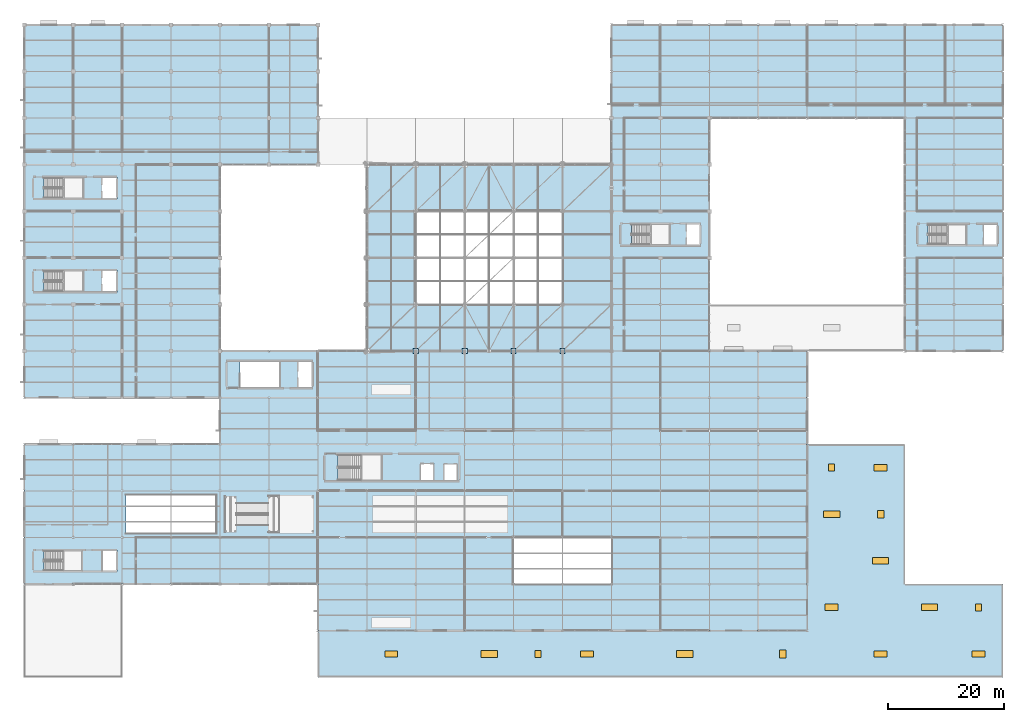
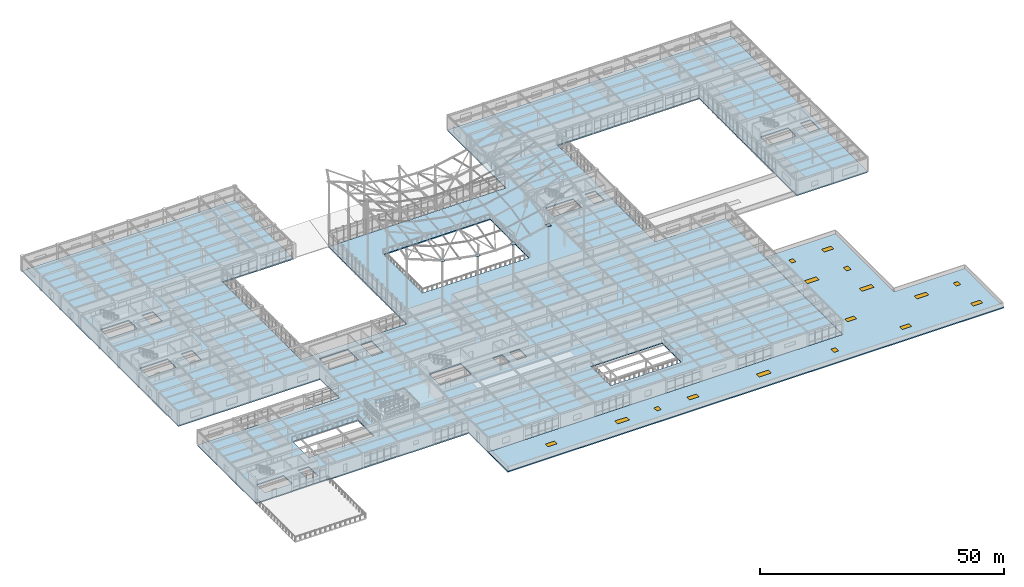
# One storey, part 59 of 138: 11 windows, 5 doors, 4 plates, 2 slabs, 16 openings.
"""IFC4 building model written with IfcOpenShell, lengths in metres."""

from ifc_helpers import new_model, si_unit, direction, frame, origin, origin_2d, place, context, subcontext, project, spatial, polyline, rectangle, outline, extrude, material, layer, layer_set, type_object, element, fill, save


model = new_model("IFC4")

# Units and contexts
model_context = context("Model", 3, precision=1e-05, world=origin(), true_north=direction((0.0, 1.0)))
body_context = subcontext(model_context, "Body", "Model", "MODEL_VIEW")
ifc_project = project(units=[si_unit("LENGTHUNIT", "METRE"), si_unit("AREAUNIT", "SQUARE_METRE"), si_unit("VOLUMEUNIT", "CUBIC_METRE"), si_unit("PLANEANGLEUNIT", "RADIAN"), si_unit("MASSUNIT", "GRAM", prefix="KILO")], contexts=[model_context])

# Site, building, storey
site_placement = place(None, origin())
site = spatial("IfcSite", under=ifc_project, at=site_placement, CompositionType="ELEMENT")
building_placement = place(site_placement, origin())
building = spatial("IfcBuilding", under=site, at=building_placement, Name="Kranzveld Transit Interchange", CompositionType="ELEMENT")
storey_placement = place(building_placement, frame((0.0, 0.0, 5.43994140625)))
storey = spatial("IfcBuildingStorey", under=building, at=storey_placement, Name="L01", CompositionType="ELEMENT", Elevation=5.43994140625)

# Slab, openings, doors, windows
ifc_material_1 = material(Name="Concrete C35/45", Category="concrete")
ifc_layer_1 = layer(ifc_material_1, 0.2900390625)
ifc_layer_set_1 = layer_set([ifc_layer_1], Name="Concrete C35/45")
slab_type_1 = type_object("IfcSlabType", Name="Colonnade Roof Slab 290 C35/45", PredefinedType="ROOF", material=ifc_layer_set_1)
slab_1_placement = place(storey_placement, frame((0.0, 0.0, -0.2900390625)))
slab_1 = element("IfcSlab", 1, at=slab_1_placement, inside=storey, type_object=slab_type_1, Name="L01 Flat Roof Slab 2", PredefinedType="ROOF", context=body_context, shape_type="SweptSolid", body=[
    extrude(outline(polyline([(151.199951171875, 40.0), (151.199951171875, 16.0), (168.0, 16.0), (168.0, 0.0), (151.199951171875, 0.0), (50.39990234375, 0.0), (50.39990234375, 8.0), (134.39990234375, 8.0), (134.39990234375, 40.0), (151.199951171875, 40.0)]), holes=[polyline([(61.89990234375, 3.449951171875), (64.10009765625, 3.449951171875), (64.10009765625, 4.550048828125), (61.89990234375, 4.550048828125), (61.89990234375, 3.449951171875)]), polyline([(78.39990234375, 3.425048828125), (81.199951171875, 3.425048828125), (81.199951171875, 4.574951171875), (78.39990234375, 4.574951171875), (78.39990234375, 3.425048828125)]), polyline([(87.699951171875, 3.39990234375), (88.699951171875, 3.39990234375), (88.699951171875, 4.60009765625), (87.699951171875, 4.60009765625), (87.699951171875, 3.39990234375)]), polyline([(95.5, 3.449951171875), (97.699951171875, 3.449951171875), (97.699951171875, 4.550048828125), (95.5, 4.550048828125), (95.5, 3.449951171875)]), polyline([(112.0, 3.425048828125), (114.800048828125, 3.425048828125), (114.800048828125, 4.574951171875), (112.0, 4.574951171875), (112.0, 3.425048828125)]), polyline([(129.64990234375, 3.35009765625), (130.75, 3.35009765625), (130.75, 4.64990234375), (129.64990234375, 4.64990234375), (129.64990234375, 3.35009765625)]), polyline([(137.5, 11.449951171875), (139.699951171875, 11.449951171875), (139.699951171875, 12.550048828125), (137.5, 12.550048828125), (137.5, 11.449951171875)]), polyline([(137.199951171875, 27.425048828125), (140.0, 27.425048828125), (140.0, 28.574951171875), (137.199951171875, 28.574951171875), (137.199951171875, 27.425048828125)]), polyline([(138.10009765625, 35.39990234375), (139.10009765625, 35.39990234375), (139.10009765625, 36.60009765625), (138.10009765625, 36.60009765625), (138.10009765625, 35.39990234375)]), polyline([(145.89990234375, 3.449951171875), (148.10009765625, 3.449951171875), (148.10009765625, 4.550048828125), (145.89990234375, 4.550048828125), (145.89990234375, 3.449951171875)]), polyline([(145.60009765625, 19.425048828125), (148.39990234375, 19.425048828125), (148.39990234375, 20.574951171875), (145.60009765625, 20.574951171875), (145.60009765625, 19.425048828125)]), polyline([(146.449951171875, 27.35009765625), (147.550048828125, 27.35009765625), (147.550048828125, 28.64990234375), (146.449951171875, 28.64990234375), (146.449951171875, 27.35009765625)]), polyline([(145.89990234375, 35.449951171875), (148.10009765625, 35.449951171875), (148.10009765625, 36.550048828125), (145.89990234375, 36.550048828125), (145.89990234375, 35.449951171875)]), polyline([(154.0, 11.425048828125), (156.800048828125, 11.425048828125), (156.800048828125, 12.574951171875), (154.0, 12.574951171875), (154.0, 11.425048828125)]), polyline([(162.699951171875, 3.449951171875), (164.89990234375, 3.449951171875), (164.89990234375, 4.550048828125), (162.699951171875, 4.550048828125), (162.699951171875, 3.449951171875)]), polyline([(163.300048828125, 11.39990234375), (164.300048828125, 11.39990234375), (164.300048828125, 12.60009765625), (163.300048828125, 12.60009765625), (163.300048828125, 11.39990234375)])]), origin(), (0.0, 0.0, 1.0), 0.2900390625),
])
opening_1_placement = place(slab_1_placement, frame((88.199951171875, 4.0, 0.0)))
opening_1 = element("IfcOpeningElement", 2, at=opening_1_placement, cuts=slab_1, Name="Opening RH-01", PredefinedType="OPENING", context=body_context, shape_type="SweptSolid", body=[
    extrude(rectangle(XDim=1.0, YDim=1.199951171875, at=origin_2d()), frame((0.0, 0.0, -0.010009765625)), (0.0, 0.0, 1.0), 0.31005859375),
])
opening_2_placement = place(slab_1_placement, frame((130.199951171875, 4.0, 0.0)))
opening_2 = element("IfcOpeningElement", 3, at=opening_2_placement, cuts=slab_1, Name="Opening RH-02", PredefinedType="OPENING", context=body_context, shape_type="SweptSolid", body=[
    extrude(rectangle(XDim=1.10009765625, YDim=1.300048828125, at=origin_2d()), frame((0.0, 0.0, -0.010009765625)), (0.0, 0.0, 1.0), 0.31005859375),
])
opening_3_placement = place(slab_1_placement, frame((138.60009765625, 36.0, 0.0)))
opening_3 = element("IfcOpeningElement", 4, at=opening_3_placement, cuts=slab_1, Name="Opening RH-03", PredefinedType="OPENING", context=body_context, shape_type="SweptSolid", body=[
    extrude(rectangle(XDim=1.0, YDim=1.199951171875, at=origin_2d()), frame((0.0, 0.0, -0.010009765625)), (0.0, 0.0, 1.0), 0.31005859375),
])
opening_4_placement = place(slab_1_placement, frame((147.0, 28.0, 0.0)))
opening_4 = element("IfcOpeningElement", 5, at=opening_4_placement, cuts=slab_1, Name="Opening RH-04", PredefinedType="OPENING", context=body_context, shape_type="SweptSolid", body=[
    extrude(rectangle(XDim=1.10009765625, YDim=1.300048828125, at=origin_2d()), frame((0.0, 0.0, -0.010009765625)), (0.0, 0.0, 1.0), 0.31005859375),
])
opening_5_placement = place(slab_1_placement, frame((163.800048828125, 12.0, 0.0)))
opening_5 = element("IfcOpeningElement", 6, at=opening_5_placement, cuts=slab_1, Name="Opening RH-05", PredefinedType="OPENING", context=body_context, shape_type="SweptSolid", body=[
    extrude(rectangle(XDim=1.0, YDim=1.199951171875, at=origin_2d()), frame((0.0, 0.0, -0.010009765625)), (0.0, 0.0, 1.0), 0.31005859375),
])
opening_6_placement = place(slab_1_placement, frame((63.0, 4.0, 0.0)))
opening_6 = element("IfcOpeningElement", 7, at=opening_6_placement, cuts=slab_1, Name="Opening SK-01", PredefinedType="OPENING", context=body_context, shape_type="SweptSolid", body=[
    extrude(rectangle(XDim=2.199951171875, YDim=1.10009765625, at=origin_2d()), frame((0.0, 0.0, -0.010009765625)), (0.0, 0.0, 1.0), 0.31005859375),
])
opening_7_placement = place(slab_1_placement, frame((79.800048828125, 4.0, 0.0)))
opening_7 = element("IfcOpeningElement", 8, at=opening_7_placement, cuts=slab_1, Name="Opening SK-02", PredefinedType="OPENING", context=body_context, shape_type="SweptSolid", body=[
    extrude(rectangle(XDim=2.800048828125, YDim=1.14990234375, at=origin_2d()), frame((0.0, 0.0, -0.010009765625)), (0.0, 0.0, 1.0), 0.31005859375),
])
opening_8_placement = place(slab_1_placement, frame((96.60009765625, 4.0, 0.0)))
opening_8 = element("IfcOpeningElement", 9, at=opening_8_placement, cuts=slab_1, Name="Opening SK-01", PredefinedType="OPENING", context=body_context, shape_type="SweptSolid", body=[
    extrude(rectangle(XDim=2.199951171875, YDim=1.10009765625, at=origin_2d()), frame((0.0, 0.0, -0.010009765625)), (0.0, 0.0, 1.0), 0.31005859375),
])
opening_9_placement = place(slab_1_placement, frame((113.39990234375, 4.0, 0.0)))
opening_9 = element("IfcOpeningElement", 10, at=opening_9_placement, cuts=slab_1, Name="Opening SK-02", PredefinedType="OPENING", context=body_context, shape_type="SweptSolid", body=[
    extrude(rectangle(XDim=2.800048828125, YDim=1.14990234375, at=origin_2d()), frame((0.0, 0.0, -0.010009765625)), (0.0, 0.0, 1.0), 0.31005859375),
])
opening_10_placement = place(slab_1_placement, frame((138.60009765625, 12.0, 0.0)))
opening_10 = element("IfcOpeningElement", 11, at=opening_10_placement, cuts=slab_1, Name="Opening SK-01", PredefinedType="OPENING", context=body_context, shape_type="SweptSolid", body=[
    extrude(rectangle(XDim=2.199951171875, YDim=1.10009765625, at=origin_2d()), frame((0.0, 0.0, -0.010009765625)), (0.0, 0.0, 1.0), 0.31005859375),
])
opening_11_placement = place(slab_1_placement, frame((138.60009765625, 28.0, 0.0)))
opening_11 = element("IfcOpeningElement", 12, at=opening_11_placement, cuts=slab_1, Name="Opening SK-02", PredefinedType="OPENING", context=body_context, shape_type="SweptSolid", body=[
    extrude(rectangle(XDim=2.800048828125, YDim=1.14990234375, at=origin_2d()), frame((0.0, 0.0, -0.010009765625)), (0.0, 0.0, 1.0), 0.31005859375),
])
opening_12_placement = place(slab_1_placement, frame((147.0, 4.0, 0.0)))
opening_12 = element("IfcOpeningElement", 13, at=opening_12_placement, cuts=slab_1, Name="Opening SK-01", PredefinedType="OPENING", context=body_context, shape_type="SweptSolid", body=[
    extrude(rectangle(XDim=2.199951171875, YDim=1.10009765625, at=origin_2d()), frame((0.0, 0.0, -0.010009765625)), (0.0, 0.0, 1.0), 0.31005859375),
])
opening_13_placement = place(slab_1_placement, frame((147.0, 20.0, 0.0)))
opening_13 = element("IfcOpeningElement", 14, at=opening_13_placement, cuts=slab_1, Name="Opening SK-02", PredefinedType="OPENING", context=body_context, shape_type="SweptSolid", body=[
    extrude(rectangle(XDim=2.800048828125, YDim=1.14990234375, at=origin_2d()), frame((0.0, 0.0, -0.010009765625)), (0.0, 0.0, 1.0), 0.31005859375),
])
opening_14_placement = place(slab_1_placement, frame((147.0, 36.0, 0.0)))
opening_14 = element("IfcOpeningElement", 15, at=opening_14_placement, cuts=slab_1, Name="Opening SK-01", PredefinedType="OPENING", context=body_context, shape_type="SweptSolid", body=[
    extrude(rectangle(XDim=2.199951171875, YDim=1.10009765625, at=origin_2d()), frame((0.0, 0.0, -0.010009765625)), (0.0, 0.0, 1.0), 0.31005859375),
])
opening_15_placement = place(slab_1_placement, frame((155.39990234375, 12.0, 0.0)))
opening_15 = element("IfcOpeningElement", 16, at=opening_15_placement, cuts=slab_1, Name="Opening SK-02", PredefinedType="OPENING", context=body_context, shape_type="SweptSolid", body=[
    extrude(rectangle(XDim=2.800048828125, YDim=1.14990234375, at=origin_2d()), frame((0.0, 0.0, -0.010009765625)), (0.0, 0.0, 1.0), 0.31005859375),
])
opening_16_placement = place(slab_1_placement, frame((163.800048828125, 4.0, 0.0)))
opening_16 = element("IfcOpeningElement", 17, at=opening_16_placement, cuts=slab_1, Name="Opening SK-01", PredefinedType="OPENING", context=body_context, shape_type="SweptSolid", body=[
    extrude(rectangle(XDim=2.199951171875, YDim=1.10009765625, at=origin_2d()), frame((0.0, 0.0, -0.010009765625)), (0.0, 0.0, 1.0), 0.31005859375),
])
ifc_material_2 = material(Name="Bronze-anodised thermally broken aluminium", Category="aluminium")
door_type_1 = type_object("IfcDoorType", Name="Insulated Roof Maintenance Hatch 1000x1200", OperationType="NOTDEFINED", PredefinedType="TRAPDOOR", material=ifc_material_2)
door_1_placement = place(opening_1_placement, frame((0.0, 0.0, 0.239990234375)))
door_1 = element("IfcDoor", 18, at=door_1_placement, inside=storey, type_object=door_type_1, Name="L01 Roof Maintenance Hatch 01", OperationType="SINGLE_SWING_LEFT", OverallHeight=1.199951171875, OverallWidth=1.0, PredefinedType="TRAPDOOR", context=body_context, shape_type="SweptSolid", body=[
    extrude(rectangle(XDim=1.0, YDim=1.199951171875, at=origin_2d()), origin(), (0.0, 0.0, 1.0), 0.050048828125),
])
fill(opening_1, door_1)
door_2_placement = place(opening_3_placement, frame((0.0, 0.0, 0.239990234375)))
door_2 = element("IfcDoor", 19, at=door_2_placement, inside=storey, type_object=door_type_1, Name="L01 Roof Maintenance Hatch 03", OperationType="SINGLE_SWING_LEFT", OverallHeight=1.199951171875, OverallWidth=1.0, PredefinedType="TRAPDOOR", context=body_context, shape_type="SweptSolid", body=[
    extrude(rectangle(XDim=1.0, YDim=1.199951171875, at=origin_2d()), origin(), (0.0, 0.0, 1.0), 0.050048828125),
])
fill(opening_3, door_2)
door_3_placement = place(opening_5_placement, frame((0.0, 0.0, 0.239990234375)))
door_3 = element("IfcDoor", 20, at=door_3_placement, inside=storey, type_object=door_type_1, Name="L01 Roof Maintenance Hatch 05", OperationType="SINGLE_SWING_LEFT", OverallHeight=1.199951171875, OverallWidth=1.0, PredefinedType="TRAPDOOR", context=body_context, shape_type="SweptSolid", body=[
    extrude(rectangle(XDim=1.0, YDim=1.199951171875, at=origin_2d()), origin(), (0.0, 0.0, 1.0), 0.050048828125),
])
fill(opening_5, door_3)
ifc_material_3 = material(Name="Solar-control double glazing", Category="glass")
window_type_1 = type_object("IfcWindowType", Name="Roof Skylight Dome 2200x1100", PartitioningType="SINGLE_PANEL", PredefinedType="SKYLIGHT", material=ifc_material_3)
window_1_placement = place(opening_6_placement, frame((0.0, 0.0, 0.239990234375)))
window_1 = element("IfcWindow", 21, at=window_1_placement, inside=storey, type_object=window_type_1, Name="L01 Daylight Roof Skylight 03", OverallHeight=1.10009765625, OverallWidth=2.199951171875, PartitioningType="SINGLE_PANEL", PredefinedType="SKYLIGHT", context=body_context, shape_type="SweptSolid", body=[
    extrude(rectangle(XDim=2.199951171875, YDim=1.10009765625, at=origin_2d()), origin(), (0.0, 0.0, 1.0), 0.050048828125),
])
fill(opening_6, window_1)
window_2_placement = place(opening_8_placement, frame((0.0, 0.0, 0.239990234375)))
window_2 = element("IfcWindow", 22, at=window_2_placement, inside=storey, type_object=window_type_1, Name="L01 Daylight Roof Skylight 05", OverallHeight=1.10009765625, OverallWidth=2.199951171875, PartitioningType="SINGLE_PANEL", PredefinedType="SKYLIGHT", context=body_context, shape_type="SweptSolid", body=[
    extrude(rectangle(XDim=2.199951171875, YDim=1.10009765625, at=origin_2d()), origin(), (0.0, 0.0, 1.0), 0.050048828125),
])
fill(opening_8, window_2)
window_3_placement = place(opening_10_placement, frame((0.0, 0.0, 0.239990234375)))
window_3 = element("IfcWindow", 23, at=window_3_placement, inside=storey, type_object=window_type_1, Name="L01 Daylight Roof Skylight 07", OverallHeight=1.10009765625, OverallWidth=2.199951171875, PartitioningType="SINGLE_PANEL", PredefinedType="SKYLIGHT", context=body_context, shape_type="SweptSolid", body=[
    extrude(rectangle(XDim=2.199951171875, YDim=1.10009765625, at=origin_2d()), origin(), (0.0, 0.0, 1.0), 0.050048828125),
])
fill(opening_10, window_3)
window_4_placement = place(opening_12_placement, frame((0.0, 0.0, 0.239990234375)))
window_4 = element("IfcWindow", 24, at=window_4_placement, inside=storey, type_object=window_type_1, Name="L01 Daylight Roof Skylight 09", OverallHeight=1.10009765625, OverallWidth=2.199951171875, PartitioningType="SINGLE_PANEL", PredefinedType="SKYLIGHT", context=body_context, shape_type="SweptSolid", body=[
    extrude(rectangle(XDim=2.199951171875, YDim=1.10009765625, at=origin_2d()), origin(), (0.0, 0.0, 1.0), 0.050048828125),
])
fill(opening_12, window_4)
window_5_placement = place(opening_14_placement, frame((0.0, 0.0, 0.239990234375)))
window_5 = element("IfcWindow", 25, at=window_5_placement, inside=storey, type_object=window_type_1, Name="L01 Daylight Roof Skylight 11", OverallHeight=1.10009765625, OverallWidth=2.199951171875, PartitioningType="SINGLE_PANEL", PredefinedType="SKYLIGHT", context=body_context, shape_type="SweptSolid", body=[
    extrude(rectangle(XDim=2.199951171875, YDim=1.10009765625, at=origin_2d()), origin(), (0.0, 0.0, 1.0), 0.050048828125),
])
fill(opening_14, window_5)
window_6_placement = place(opening_16_placement, frame((0.0, 0.0, 0.239990234375)))
window_6 = element("IfcWindow", 26, at=window_6_placement, inside=storey, type_object=window_type_1, Name="L01 Daylight Roof Skylight 13", OverallHeight=1.10009765625, OverallWidth=2.199951171875, PartitioningType="SINGLE_PANEL", PredefinedType="SKYLIGHT", context=body_context, shape_type="SweptSolid", body=[
    extrude(rectangle(XDim=2.199951171875, YDim=1.10009765625, at=origin_2d()), origin(), (0.0, 0.0, 1.0), 0.050048828125),
])
fill(opening_16, window_6)
ifc_material_4 = material(Name="Solar-control double glazing", Category="glass")
window_type_2 = type_object("IfcWindowType", Name="Roof Skylight Lantern 2800x1150", PartitioningType="DOUBLE_PANEL_VERTICAL", PredefinedType="SKYLIGHT", material=ifc_material_4)
window_7_placement = place(opening_7_placement, frame((0.0, 0.0, 0.239990234375)))
window_7 = element("IfcWindow", 27, at=window_7_placement, inside=storey, type_object=window_type_2, Name="L01 Daylight Roof Skylight 04", OverallHeight=1.14990234375, OverallWidth=2.800048828125, PartitioningType="DOUBLE_PANEL_VERTICAL", PredefinedType="SKYLIGHT", context=body_context, shape_type="SweptSolid", body=[
    extrude(rectangle(XDim=2.800048828125, YDim=1.14990234375, at=origin_2d()), origin(), (0.0, 0.0, 1.0), 0.050048828125),
])
fill(opening_7, window_7)
window_8_placement = place(opening_9_placement, frame((0.0, 0.0, 0.239990234375)))
window_8 = element("IfcWindow", 28, at=window_8_placement, inside=storey, type_object=window_type_2, Name="L01 Daylight Roof Skylight 06", OverallHeight=1.14990234375, OverallWidth=2.800048828125, PartitioningType="DOUBLE_PANEL_VERTICAL", PredefinedType="SKYLIGHT", context=body_context, shape_type="SweptSolid", body=[
    extrude(rectangle(XDim=2.800048828125, YDim=1.14990234375, at=origin_2d()), origin(), (0.0, 0.0, 1.0), 0.050048828125),
])
fill(opening_9, window_8)
window_9_placement = place(opening_11_placement, frame((0.0, 0.0, 0.239990234375)))
window_9 = element("IfcWindow", 29, at=window_9_placement, inside=storey, type_object=window_type_2, Name="L01 Daylight Roof Skylight 08", OverallHeight=1.14990234375, OverallWidth=2.800048828125, PartitioningType="DOUBLE_PANEL_VERTICAL", PredefinedType="SKYLIGHT", context=body_context, shape_type="SweptSolid", body=[
    extrude(rectangle(XDim=2.800048828125, YDim=1.14990234375, at=origin_2d()), origin(), (0.0, 0.0, 1.0), 0.050048828125),
])
fill(opening_11, window_9)
window_10_placement = place(opening_13_placement, frame((0.0, 0.0, 0.239990234375)))
window_10 = element("IfcWindow", 30, at=window_10_placement, inside=storey, type_object=window_type_2, Name="L01 Daylight Roof Skylight 10", OverallHeight=1.14990234375, OverallWidth=2.800048828125, PartitioningType="DOUBLE_PANEL_VERTICAL", PredefinedType="SKYLIGHT", context=body_context, shape_type="SweptSolid", body=[
    extrude(rectangle(XDim=2.800048828125, YDim=1.14990234375, at=origin_2d()), origin(), (0.0, 0.0, 1.0), 0.050048828125),
])
fill(opening_13, window_10)
window_11_placement = place(opening_15_placement, frame((0.0, 0.0, 0.239990234375)))
window_11 = element("IfcWindow", 31, at=window_11_placement, inside=storey, type_object=window_type_2, Name="L01 Daylight Roof Skylight 12", OverallHeight=1.14990234375, OverallWidth=2.800048828125, PartitioningType="DOUBLE_PANEL_VERTICAL", PredefinedType="SKYLIGHT", context=body_context, shape_type="SweptSolid", body=[
    extrude(rectangle(XDim=2.800048828125, YDim=1.14990234375, at=origin_2d()), origin(), (0.0, 0.0, 1.0), 0.050048828125),
])
fill(opening_15, window_11)
ifc_material_5 = material(Name="Bronze-anodised thermally broken aluminium", Category="aluminium")
door_type_2 = type_object("IfcDoorType", Name="Smoke & Flat Roof Access Hatch 1100x1300", OperationType="NOTDEFINED", PredefinedType="TRAPDOOR", material=ifc_material_5)
door_4_placement = place(opening_2_placement, frame((0.0, 0.0, 0.239990234375)))
door_4 = element("IfcDoor", 32, at=door_4_placement, inside=storey, type_object=door_type_2, Name="L01 Roof Maintenance Hatch 02", OperationType="SINGLE_SWING_LEFT", OverallHeight=1.300048828125, OverallWidth=1.10009765625, PredefinedType="TRAPDOOR", context=body_context, shape_type="SweptSolid", body=[
    extrude(rectangle(XDim=1.10009765625, YDim=1.300048828125, at=origin_2d()), origin(), (0.0, 0.0, 1.0), 0.050048828125),
])
fill(opening_2, door_4)
door_5_placement = place(opening_4_placement, frame((0.0, 0.0, 0.239990234375)))
door_5 = element("IfcDoor", 33, at=door_5_placement, inside=storey, type_object=door_type_2, Name="L01 Roof Maintenance Hatch 04", OperationType="SINGLE_SWING_LEFT", OverallHeight=1.300048828125, OverallWidth=1.10009765625, PredefinedType="TRAPDOOR", context=body_context, shape_type="SweptSolid", body=[
    extrude(rectangle(XDim=1.10009765625, YDim=1.300048828125, at=origin_2d()), origin(), (0.0, 0.0, 1.0), 0.050048828125),
])
fill(opening_4, door_5)

# Slab
ifc_material_6 = material(Name="Concrete C35/45", Category="concrete")
ifc_layer_2 = layer(ifc_material_6, 0.2900390625)
ifc_layer_set_2 = layer_set([ifc_layer_2], Name="Concrete C35/45")
slab_type_2 = type_object("IfcSlabType", Name="Composite Floor Slab 290 C35/45", PredefinedType="FLOOR", material=ifc_layer_set_2)
slab_2_placement = place(storey_placement, frame((0.0, 0.0, -0.2900390625)))
element("IfcSlab", 34, at=slab_2_placement, inside=storey, type_object=slab_type_2, Name="L01 Suspended Floor Slab 1", PredefinedType="FLOOR", context=body_context, shape_type="SweptSolid", body=[
    extrude(outline(polyline([(50.39990234375, 16.0), (0.0, 16.0), (0.0, 40.0), (33.60009765625, 40.0), (33.60009765625, 48.0), (0.0, 48.0), (0.0, 112.0), (33.60009765625, 112.0), (50.39990234375, 112.0), (50.39990234375, 88.0), (33.60009765625, 88.0), (33.60009765625, 56.0), (58.800048828125, 56.0), (58.800048828125, 88.0), (100.800048828125, 88.0), (100.800048828125, 112.0), (117.60009765625, 112.0), (168.0, 112.0), (168.0, 96.0), (168.0, 56.0), (151.199951171875, 56.0), (151.199951171875, 96.0), (117.60009765625, 96.0), (117.60009765625, 56.0), (134.39990234375, 56.0), (134.39990234375, 40.0), (134.39990234375, 8.0), (50.39990234375, 8.0), (50.39990234375, 16.0)]), holes=[polyline([(9.85009765625, 18.320068359375), (9.85009765625, 21.679931640625), (3.367919921875, 21.679931640625), (3.367919921875, 18.320068359375), (9.85009765625, 18.320068359375)]), polyline([(15.89990234375, 21.860107421875), (13.324951171875, 21.860107421875), (13.324951171875, 18.139892578125), (15.89990234375, 18.139892578125), (15.89990234375, 21.860107421875)]), polyline([(32.949951171875, 31.300048828125), (17.449951171875, 31.300048828125), (17.449951171875, 24.699951171875), (32.949951171875, 24.699951171875), (32.949951171875, 31.300048828125)]), polyline([(43.800048828125, 49.820068359375), (43.800048828125, 54.179931640625), (37.068115234375, 54.179931640625), (37.068115234375, 49.820068359375), (43.800048828125, 49.820068359375)]), polyline([(49.5, 54.360107421875), (46.949951171875, 54.360107421875), (46.949951171875, 49.639892578125), (49.5, 49.639892578125), (49.5, 54.360107421875)]), polyline([(10.050048828125, 66.27001953125), (10.050048828125, 69.72998046875), (3.41796875, 69.72998046875), (3.41796875, 66.27001953125), (10.050048828125, 66.27001953125)]), polyline([(15.89990234375, 69.909912109375), (13.300048828125, 69.909912109375), (13.300048828125, 66.090087890625), (15.89990234375, 66.090087890625), (15.89990234375, 69.909912109375)]), polyline([(3.41796875, 82.27001953125), (10.050048828125, 82.27001953125), (10.050048828125, 85.72998046875), (3.41796875, 85.72998046875), (3.41796875, 82.27001953125)]), polyline([(15.89990234375, 82.090087890625), (15.89990234375, 85.909912109375), (13.300048828125, 85.909912109375), (13.300048828125, 82.090087890625), (15.89990234375, 82.090087890625)]), polyline([(100.800048828125, 24.0), (84.0, 24.0), (84.0, 16.0), (100.800048828125, 16.0), (100.800048828125, 24.0)]), polyline([(74.300048828125, 36.639892578125), (72.0, 36.639892578125), (72.0, 33.639892578125), (74.300048828125, 33.639892578125), (74.300048828125, 36.639892578125)]), polyline([(70.300048828125, 36.68994140625), (68.0, 36.68994140625), (68.0, 33.639892578125), (70.300048828125, 33.639892578125), (70.300048828125, 36.68994140625)]), polyline([(61.300048828125, 33.820068359375), (61.300048828125, 38.179931640625), (53.867919921875, 38.179931640625), (53.867919921875, 33.820068359375), (61.300048828125, 33.820068359375)]), polyline([(92.39990234375, 80.0), (67.199951171875, 80.0), (67.199951171875, 64.0), (92.39990234375, 64.0), (92.39990234375, 80.0)]), polyline([(110.75, 74.27001953125), (110.75, 77.72998046875), (104.218017578125, 77.72998046875), (104.218017578125, 74.27001953125), (110.75, 74.27001953125)]), polyline([(116.10009765625, 77.909912109375), (113.64990234375, 77.909912109375), (113.64990234375, 74.090087890625), (116.10009765625, 74.090087890625), (116.10009765625, 77.909912109375)]), polyline([(155.16796875, 74.320068359375), (161.64990234375, 74.320068359375), (161.64990234375, 77.679931640625), (155.16796875, 77.679931640625), (155.16796875, 74.320068359375)]), polyline([(167.10009765625, 74.139892578125), (167.10009765625, 77.860107421875), (164.64990234375, 77.860107421875), (164.64990234375, 74.139892578125), (167.10009765625, 74.139892578125)])]), origin(), (0.0, 0.0, 1.0), 0.2900390625),
])

# Plates
ifc_material_7 = material(Name="Steel S355JR", Category="steel")
ifc_layer_3 = layer(ifc_material_7, 0.050048828125)
ifc_layer_set_3 = layer_set([ifc_layer_3], Name="Steel S355JR")
plate_type = type_object("IfcPlateType", Name="Mast Base Plate 900x900x50 S355JR", PredefinedType="SHEET", material=ifc_layer_set_3)
for number, where, z_axis, x_axis, name in (
    (35, (67.199951171875, 56.0, 12.9521484375), (0.0, 0.0, 1.0), (1.0, 0.0, 0.0), "Saddle Mast Base Plate M06 (09/H)"),
    (36, (75.60009765625, 56.0, 11.2880859375), (0.0, 0.0, 1.0), (1.0, 0.0, 0.0), "Saddle Mast Base Plate M07 (10/H)"),
    (37, (84.0, 56.0, 11.2880859375), (0.0, 0.0, 1.0), (1.0, 0.0, 0.0), "Saddle Mast Base Plate M08 (11/H)"),
    (38, (92.39990234375, 56.0, 12.9521484375), (0.0, 0.0, 1.0), (1.0, 0.0, 0.0), "Saddle Mast Base Plate M09 (12/H)"),
):
    element("IfcPlate", number, at=place(storey_placement, frame(where, z_axis=z_axis, x_axis=x_axis)), inside=storey, type_object=plate_type, Name=name, PredefinedType="SHEET", context=body_context, shape_type="SweptSolid", body=[
        extrude(rectangle(XDim=0.89990234375, YDim=0.89990234375, at=origin_2d()), origin(), (0.0, 0.0, 1.0), 0.050048828125),
    ])

save(model, "model.ifc")
